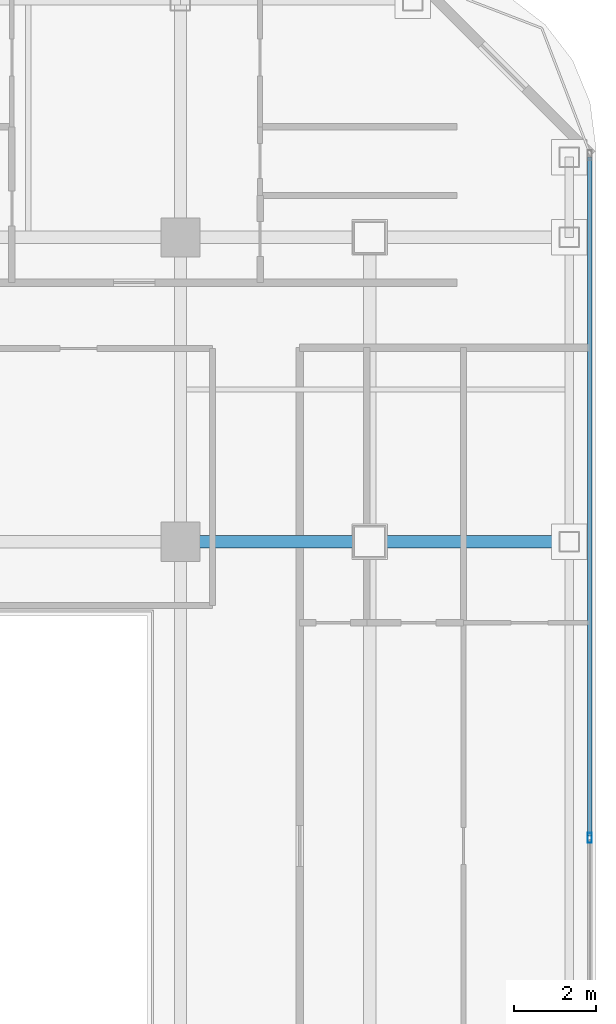
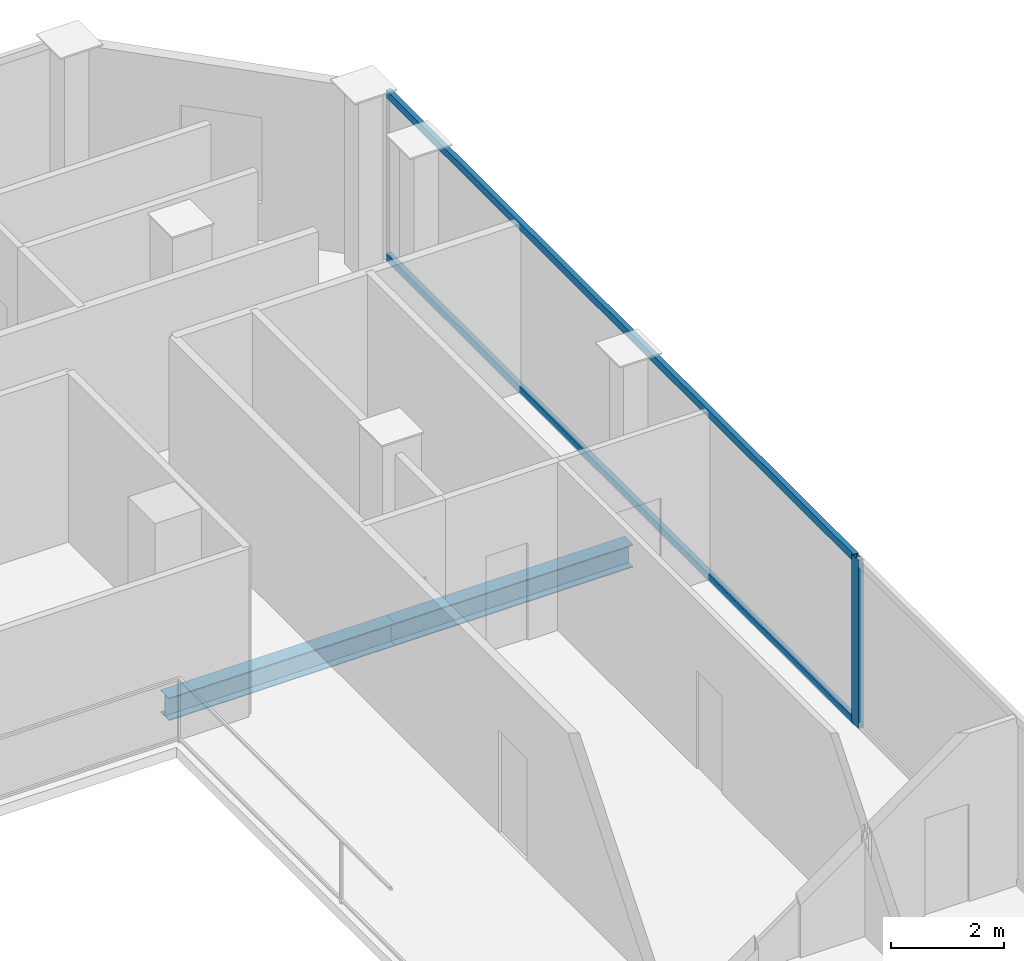
# One storey, part 9 of 22: 3 members, 2 beams, 1 element without a shape of its own.
"""IFC4 building model written with IfcOpenShell, lengths in metres."""

import ifcopenshell
import ifcopenshell.guid

model = None  # the IFC model being written
_history = None  # IfcOwnerHistory: only IFC2X3 demands one
_inside = {}  # id of a spatial element -> (the spatial element, [elements in it])
_under = {}  # id of a project, library or spatial element -> (it, [spatial elements below it])
_declared = {}  # id of a project -> (the project, [libraries it declares])
_typed = {}  # id of a type object -> (the type object, [elements of that type])
_made_of = {}  # id of a material, layer set ... -> (it, [elements and type objects made of it])


def new_model(schema):
    """Start an empty IFC model of exactly this schema.

    Asked for "IFC4X3", IfcOpenShell would pick the latest addendum, in which some entities
    have other attributes; the version numbers below select the first issue.
    IFC2X3 requires an IfcOwnerHistory on every rooted entity: one is made here for all.
    """
    global model, _history
    if schema == "IFC4X3":
        model = ifcopenshell.file(schema_version=(4, 3, 0, 0))
    else:
        model = ifcopenshell.file(schema=schema)
    _inside.clear()
    _under.clear()
    _declared.clear()
    _typed.clear()
    _made_of.clear()
    _history = None
    if model.schema == "IFC2X3":
        org = make("IfcOrganization", Name="unknown")
        user = make(
            "IfcPersonAndOrganization",
            ThePerson=make("IfcPerson", FamilyName="unknown"),
            TheOrganization=org,
        )
        app = make(
            "IfcApplication",
            ApplicationDeveloper=org,
            Version="unknown",
            ApplicationFullName="unknown",
            ApplicationIdentifier="unknown",
        )
        _history = make(
            "IfcOwnerHistory",
            OwningUser=user,
            OwningApplication=app,
            ChangeAction="ADDED",
            CreationDate=0,
        )
    return model


def make(cls, **values):
    """One entity of the class cls with the attributes given. An attribute that is None is left unset."""
    return model.create_entity(
        cls, **{name: value for name, value in values.items() if value is not None}
    )


def rooted(cls, **values):
    """An entity with a GlobalId (a new one), such as an element, a storey or a relation."""
    return make(cls, GlobalId=ifcopenshell.guid.new(), OwnerHistory=_history, **values)


def si_unit(unit_type, name, prefix=None):
    """IfcSIUnit, for example si_unit("LENGTHUNIT", "METRE", prefix="MILLI")."""
    return make("IfcSIUnit", UnitType=unit_type, Prefix=prefix, Name=name)


def assignment(units):
    """IfcUnitAssignment: the units of a project."""
    return None if units is None else make("IfcUnitAssignment", Units=units)


def point(xyz):
    """IfcCartesianPoint."""
    return None if xyz is None else make("IfcCartesianPoint", Coordinates=xyz)


def direction(xyz):
    """IfcDirection."""
    return None if xyz is None else make("IfcDirection", DirectionRatios=xyz)


def frame(location, z_axis=None, x_axis=None):
    """IfcAxis2Placement3D, a coordinate frame: its origin and axes. An axis left out is left unset."""
    return make(
        "IfcAxis2Placement3D",
        Location=point(location),
        Axis=direction(z_axis),
        RefDirection=direction(x_axis),
    )


def frame_2d(location, x_axis=None):
    """IfcAxis2Placement2D, a coordinate frame in the plane: its origin and x axis."""
    return make(
        "IfcAxis2Placement2D", Location=point(location), RefDirection=direction(x_axis)
    )


def origin():
    """The frame at (0, 0, 0) with its axes left unset."""
    return frame((0.0, 0.0, 0.0))


def origin_2d():
    """The frame at (0, 0) in the plane with its x axis left unset."""
    return frame_2d((0.0, 0.0))


def place(relative_to, where):
    """IfcLocalPlacement: puts the frame where relative to a parent placement (None: the world)."""
    return make(
        "IfcLocalPlacement", PlacementRelTo=relative_to, RelativePlacement=where
    )


def context(
    kind, dimensions, precision=None, world=None, true_north=None, identifier=None
):
    """IfcGeometricRepresentationContext, for example the 3D "Model" context."""
    return make(
        "IfcGeometricRepresentationContext",
        ContextIdentifier=identifier,
        ContextType=kind,
        CoordinateSpaceDimension=dimensions,
        Precision=precision,
        WorldCoordinateSystem=world,
        TrueNorth=true_north,
    )


def subcontext(parent, identifier, kind, view, scale=None):
    """IfcGeometricRepresentationSubContext, for example "Body" below "Model"."""
    return make(
        "IfcGeometricRepresentationSubContext",
        ContextIdentifier=identifier,
        ContextType=kind,
        ParentContext=parent,
        TargetScale=scale,
        TargetView=view,
    )


def project(units=None, contexts=None):
    """IfcProject with its units and contexts."""
    return rooted(
        "IfcProject",
        Name="project",
        RepresentationContexts=contexts,
        UnitsInContext=assignment(units),
    )


def spatial(cls, under=None, at=None, **own):
    """A site, building, storey or space (cls), placed at a placement, below another one or the project."""
    s = rooted(cls, ObjectPlacement=at, **own)
    if under is not None:
        _under.setdefault(under.id(), (under, []))[1].append(s)
    return s


def profile(cls, at=None, kind="AREA", **sizes):
    """A parametric profile (cls). Its sizes go by their IFC names, for example OverallWidth=200.0."""
    return make(cls, ProfileType=kind, Position=at, **sizes)


def hollow_rectangle(**sizes):
    """IfcRectangleHollowProfileDef."""
    return profile("IfcRectangleHollowProfileDef", **sizes)


def i_section(**sizes):
    """IfcIShapeProfileDef."""
    return profile("IfcIShapeProfileDef", **sizes)


def extrude(swept, where, along, depth):
    """IfcExtrudedAreaSolid: the profile swept, set in the frame where, extruded along a direction by depth."""
    return make(
        "IfcExtrudedAreaSolid",
        SweptArea=swept,
        Position=where,
        ExtrudedDirection=direction(along),
        Depth=depth,
    )


def shape(context_of_items, identifier, shape_type, items):
    """IfcShapeRepresentation: the items that make up one representation, for example the "Body"."""
    return make(
        "IfcShapeRepresentation",
        ContextOfItems=context_of_items,
        RepresentationIdentifier=identifier,
        RepresentationType=shape_type,
        Items=items,
    )


def material(Name=None, Category=None):
    """IfcMaterial."""
    return make("IfcMaterial", Name=Name, Category=Category)


def layer(
    of_material, thickness, ventilated=None, Name=None, Category=None, Priority=None
):
    """IfcMaterialLayer: one layer of a wall or slab, of a material (None: an air gap)."""
    return make(
        "IfcMaterialLayer",
        Material=of_material,
        LayerThickness=thickness,
        IsVentilated=ventilated,
        Name=Name,
        Category=Category,
        Priority=Priority,
    )


def layer_set(layers, Name=None):
    """IfcMaterialLayerSet."""
    return make("IfcMaterialLayerSet", MaterialLayers=layers, LayerSetName=Name)


def material_profile(
    of_material, cross_section, Name=None, Category=None, Priority=None
):
    """IfcMaterialProfile: a cross section and its material."""
    return make(
        "IfcMaterialProfile",
        Name=Name,
        Material=of_material,
        Profile=cross_section,
        Priority=Priority,
        Category=Category,
    )


def profile_set(profiles, Name=None, composite=None):
    """IfcMaterialProfileSet."""
    return make(
        "IfcMaterialProfileSet",
        Name=Name,
        MaterialProfiles=profiles,
        CompositeProfile=composite,
    )


def made_of(thing, what):
    """Note that an element or type object is made of a material, layer set ...; save() writes the relation."""
    if what is not None:
        _made_of.setdefault(what.id(), (what, []))[1].append(thing)
    return thing


def type_object(cls, material=None, **own):
    """A type object (cls), such as IfcWallType, which elements share."""
    return made_of(rooted(cls, **own), material)


def element(
    cls,
    number,
    at=None,
    inside=None,
    cuts=None,
    type_object=None,
    material=None,
    context=None,
    identifier="Body",
    shape_type=None,
    held_by="IfcProductDefinitionShape",
    body=None,
    shapes=None,
    **own,
):
    """One element of the class cls, such as IfcWall. Its Tag is "e" and its number.

    at: its placement. inside: the storey or other place that contains it. cuts: it is an
    opening in that element (IfcRelVoidsElement). A single representation is given by context,
    identifier, shape_type and body (its items); several are given by shapes. held_by: the class
    of the entity that holds the representations. save() writes the other relations.
    """
    e = rooted(cls, Tag="e%d" % number, ObjectPlacement=at, **own)
    if body is not None:
        shapes = [shape(context, identifier, shape_type, body)]
    if shapes is not None:
        e.Representation = make(held_by, Representations=shapes)
    if inside is not None:
        _inside.setdefault(inside.id(), (inside, []))[1].append(e)
    if cuts is not None:
        rooted(
            "IfcRelVoidsElement", RelatingBuildingElement=cuts, RelatedOpeningElement=e
        )
    if type_object is not None:
        _typed.setdefault(type_object.id(), (type_object, []))[1].append(e)
    return made_of(e, material)


def aggregate(whole, parts):
    """IfcRelAggregates: a whole, such as a stair, and the parts it consists of."""
    return rooted("IfcRelAggregates", RelatingObject=whole, RelatedObjects=parts)


def save(model, path):
    """Write the relations noted so far, then the file.

    IfcRelAggregates (storeys below a building ...), IfcRelContainedInSpatialStructure (elements
    in a storey), IfcRelDefinesByType, IfcRelAssociatesMaterial and IfcRelDeclares: one each for
    every whole, place, type object, material and project.
    """
    for whole, parts in _under.values():
        aggregate(whole, parts)
    for where, things in _inside.values():
        rooted(
            "IfcRelContainedInSpatialStructure",
            RelatedElements=things,
            RelatingStructure=where,
        )
    for kind, things in _typed.values():
        rooted("IfcRelDefinesByType", RelatedObjects=things, RelatingType=kind)
    for what, things in _made_of.values():
        rooted("IfcRelAssociatesMaterial", RelatedObjects=things, RelatingMaterial=what)
    for by, libraries in _declared.values():
        rooted("IfcRelDeclares", RelatingContext=by, RelatedDefinitions=libraries)
    model.write(path)


model = new_model("IFC4")

# Units and contexts
model_context = context("Model", 3, precision=1e-05, world=origin(), true_north=direction((0.0, 1.0)))
body_context = subcontext(model_context, "Body", "Model", "MODEL_VIEW")
ifc_project = project(units=[si_unit("LENGTHUNIT", "METRE"), si_unit("AREAUNIT", "SQUARE_METRE"), si_unit("VOLUMEUNIT", "CUBIC_METRE"), si_unit("PLANEANGLEUNIT", "RADIAN"), si_unit("MASSUNIT", "GRAM", prefix="KILO")], contexts=[model_context])

# Site, building, storey
site_placement = place(None, origin())
site = spatial("IfcSite", under=ifc_project, at=site_placement, CompositionType="ELEMENT")
building_placement = place(site_placement, origin())
building = spatial("IfcBuilding", under=site, at=building_placement, Name="Khorvyn Point Tower", CompositionType="ELEMENT")
storey_placement = place(building_placement, frame((0.0, 0.0, 282.0)))
storey = spatial("IfcBuildingStorey", under=building, at=storey_placement, Name="L69", CompositionType="ELEMENT", Elevation=282.0)

# Curtain wall, members
ifc_material_1 = material(Name="Anodised aluminium 6063-T6 and laminated Low-E glass", Category="aluminium")
ifc_layer = layer(ifc_material_1, 0.18994140625)
ifc_layer_set = layer_set([ifc_layer], Name="Stick-Built High-Wind Curtain Wall CW-SYS-04")
curtain_wall_type = type_object("IfcCurtainWallType", Name="Stick-Built High-Wind Curtain Wall CW-SYS-04", PredefinedType="NOTDEFINED", material=ifc_layer_set)
curtain_wall_placement = place(storey_placement, origin())
curtain_wall = element("IfcCurtainWall", 1, at=curtain_wall_placement, inside=storey, type_object=curtain_wall_type, Name="Curtain Wall", PredefinedType="NOTDEFINED")
ifc_material_2 = material(Name="Anodised aluminium 6063-T6", Category="aluminium")
ifc_material_profile_1 = material_profile(ifc_material_2, hollow_rectangle(XDim=0.10009765625, YDim=0.239990234375, WallThickness=0.0048828125, at=origin_2d()))
ifc_profile_set_1 = profile_set([ifc_material_profile_1], Name="Anodised aluminium 6063-T6 ALU-MUL-100x240")
member_type_1 = type_object("IfcMemberType", Name="Anodised Aluminium 6063-T6 Mullion ALU-MUL-100x240", PredefinedType="MULLION", material=ifc_profile_set_1)
member_1_placement = place(storey_placement, frame((24.75, 0.199951171875, 0.0), z_axis=(0.0, 0.0, 1.0), x_axis=(1.0, 0.0, 0.0)))
member_1 = element("IfcMember", 2, at=member_1_placement, type_object=member_type_1, Name="Transom", PredefinedType="MULLION", context=body_context, shape_type="SweptSolid", body=[
    extrude(hollow_rectangle(XDim=0.10009765625, YDim=0.239990234375, WallThickness=0.0048828125, at=origin_2d()), origin(), (0.0, 0.0, 1.0), 3.6201171875),
])
ifc_material_profile_2 = material_profile(ifc_material_2, hollow_rectangle(XDim=0.10009765625, YDim=0.159912109375, WallThickness=0.00439453125, at=origin_2d()))
ifc_profile_set_2 = profile_set([ifc_material_profile_2], Name="Anodised aluminium 6063-T6 ALU-TRN-100x160")
member_type_2 = type_object("IfcMemberType", Name="Anodised Aluminium 6063-T6 Transom ALU-TRN-100x160", PredefinedType="USERDEFINED", material=ifc_profile_set_2)
member_2_placement = place(storey_placement, frame((24.75, 16.75, 0.050048828125), z_axis=(0.0, -1.0, 0.0), x_axis=(1.0, 0.0, 0.0)))
member_2 = element("IfcMember", 3, at=member_2_placement, type_object=member_type_2, Name="Transom", ObjectType="TRANSOM", PredefinedType="USERDEFINED", context=body_context, shape_type="SweptSolid", body=[
    extrude(hollow_rectangle(XDim=0.10009765625, YDim=0.159912109375, WallThickness=0.00439453125, at=origin_2d()), origin(), (0.0, 0.0, 1.0), 16.5),
])
member_3_placement = place(storey_placement, frame((24.75, 16.75, 3.570068359375), z_axis=(0.0, -1.0, 0.0), x_axis=(1.0, 0.0, 0.0)))
member_3 = element("IfcMember", 4, at=member_3_placement, type_object=member_type_2, Name="Transom", ObjectType="TRANSOM", PredefinedType="USERDEFINED", context=body_context, shape_type="SweptSolid", body=[
    extrude(hollow_rectangle(XDim=0.10009765625, YDim=0.159912109375, WallThickness=0.00439453125, at=origin_2d()), origin(), (0.0, 0.0, 1.0), 16.5),
])
aggregate(curtain_wall, [member_1, member_2, member_3])

# Beams
ifc_material_3 = material(Name="Steel S355", Category="steel")
ifc_material_profile_3 = material_profile(ifc_material_3, i_section(OverallWidth=0.300048828125, OverallDepth=0.488037109375, WebThickness=0.010986328125, FlangeThickness=0.01806640625, at=origin_2d()))
ifc_profile_set_3 = profile_set([ifc_material_profile_3], Name="Steel S355 H488x300x11x18")
beam_type = type_object("IfcBeamType", Name="Steel S355 Spandrel H488x300x11x18", PredefinedType="SPANDREL", material=ifc_profile_set_3)
beam_1_placement = place(storey_placement, frame((14.800048828125, 7.39990234375, -0.464111328125), z_axis=(1.0, 0.0, 0.0), x_axis=(0.0, 1.0, 0.0)))
element("IfcBeam", 5, at=beam_1_placement, inside=storey, type_object=beam_type, Name="Beam", PredefinedType="SPANDREL", context=body_context, shape_type="SweptSolid", body=[
    extrude(i_section(OverallWidth=0.300048828125, OverallDepth=0.488037109375, WebThickness=0.010986328125, FlangeThickness=0.01806640625, at=origin_2d()), origin(), (0.0, 0.0, 1.0), 4.599853515625),
])
beam_2_placement = place(storey_placement, frame((19.39990234375, 7.39990234375, -0.464111328125), z_axis=(1.0, 0.0, 0.0), x_axis=(0.0, 1.0, 0.0)))
element("IfcBeam", 6, at=beam_2_placement, inside=storey, type_object=beam_type, Name="Beam", PredefinedType="SPANDREL", context=body_context, shape_type="SweptSolid", body=[
    extrude(i_section(OverallWidth=0.300048828125, OverallDepth=0.488037109375, WebThickness=0.010986328125, FlangeThickness=0.01806640625, at=origin_2d()), origin(), (0.0, 0.0, 1.0), 4.85009765625),
])

save(model, "model.ifc")
